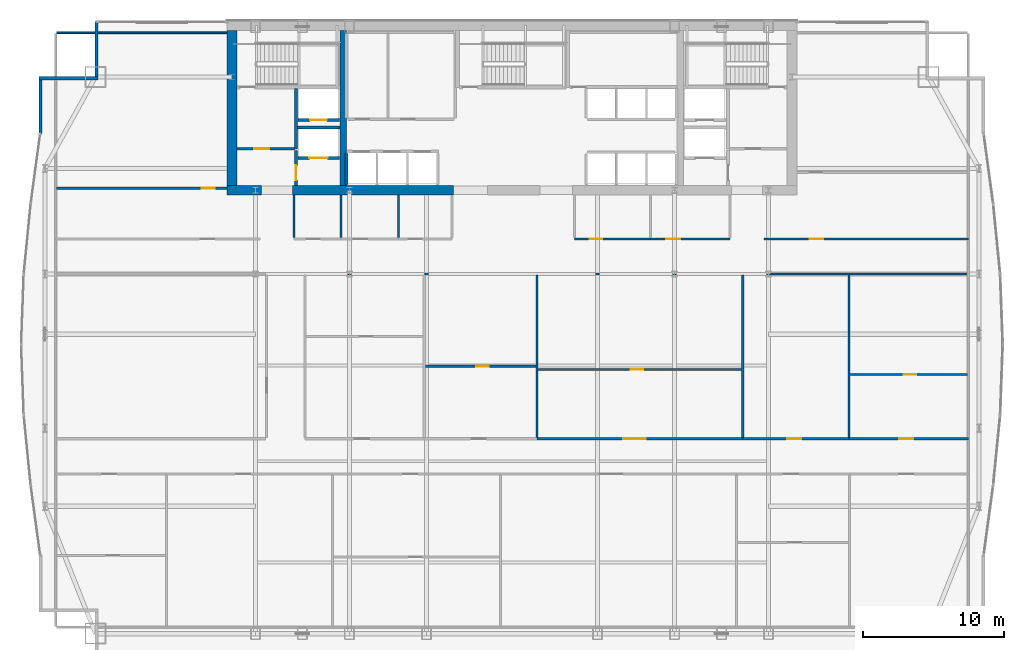
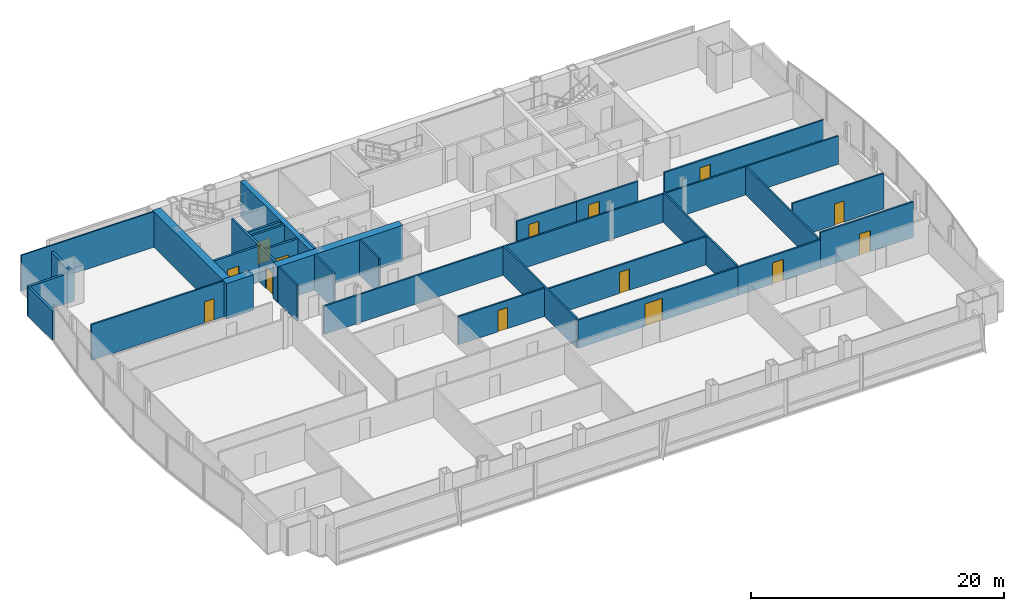
# One storey, part 27 of 32: 32 walls, 14 doors, 14 openings.
"""IFC4 building model written with IfcOpenShell, lengths in metres."""

from ifc_helpers import new_model, si_unit, direction, frame, frame_2d, origin, place, context, subcontext, project, spatial, rectangle, extrude, material, layer, layer_set, type_object, element, fill, save


model = new_model("IFC4")

# Units and contexts
model_context = context("Model", 3, precision=1e-05, world=origin(), true_north=direction((0.0, 1.0)))
body_context = subcontext(model_context, "Body", "Model", "MODEL_VIEW")
ifc_project = project(units=[si_unit("LENGTHUNIT", "METRE"), si_unit("AREAUNIT", "SQUARE_METRE"), si_unit("VOLUMEUNIT", "CUBIC_METRE"), si_unit("PLANEANGLEUNIT", "RADIAN"), si_unit("MASSUNIT", "GRAM", prefix="KILO")], contexts=[model_context])

# Site, building, storey
site_placement = place(None, origin())
site = spatial("IfcSite", under=ifc_project, at=site_placement, CompositionType="ELEMENT")
building_placement = place(site_placement, origin())
building = spatial("IfcBuilding", under=site, at=building_placement, Name="Khoronbel Lancet Exchange", CompositionType="ELEMENT")
storey_placement = place(building_placement, frame((0.0, 0.0, 125.39990234375)))
storey = spatial("IfcBuildingStorey", under=building, at=storey_placement, Name="L30", CompositionType="ELEMENT", Elevation=125.39990234375)

# Walls
ifc_material_1 = material(Name="Concrete C80/95", Category="concrete")
ifc_layer_1 = layer(ifc_material_1, 0.699951171875, Name="Concrete C80/95")
ifc_layer_set_1 = layer_set([ifc_layer_1], Name="Concrete C80/95")
wall_type_1 = type_object("IfcWallType", Name="WL-CW2", PredefinedType="SHEAR", material=ifc_layer_set_1)
wall_1_placement = place(storey_placement, frame((16.550048828125, 42.0, 0.0), z_axis=(0.0, 0.0, 1.0), x_axis=(0.0, 1.0, 0.0)))
element("IfcWall", 1, at=wall_1_placement, inside=storey, type_object=wall_type_1, Name="Level L30 rear core west shear wall", PredefinedType="SHEAR", context=body_context, shape_type="SweptSolid", body=[
    extrude(rectangle(XDim=11.0, YDim=0.699951171875, at=frame_2d((5.5, 0.0))), origin(), (0.0, 0.0, 1.0), 3.440185546875),
])
wall_2_placement = place(storey_placement, frame((18.64990234375, 41.64990234375, 0.0), z_axis=(0.0, 0.0, 1.0), x_axis=(-1.0, 0.0, 0.0)))
element("IfcWall", 2, at=wall_2_placement, inside=storey, type_object=wall_type_1, Name="Level L30 rear core south shear wall pier P1", PredefinedType="SHEAR", context=body_context, shape_type="SweptSolid", body=[
    extrude(rectangle(XDim=2.449951171875, YDim=0.699951171875, at=frame_2d((1.22509765625, 0.0))), origin(), (0.0, 0.0, 1.0), 3.440185546875),
])
wall_3_placement = place(storey_placement, frame((32.300048828125, 41.64990234375, 0.0), z_axis=(0.0, 0.0, 1.0), x_axis=(-1.0, 0.0, 0.0)))
element("IfcWall", 3, at=wall_3_placement, inside=storey, type_object=wall_type_1, Name="Level L30 rear core south shear wall pier P2", PredefinedType="SHEAR", context=body_context, shape_type="SweptSolid", body=[
    extrude(rectangle(XDim=11.449951171875, YDim=0.699951171875, at=frame_2d((5.72509765625, 0.0))), origin(), (0.0, 0.0, 1.0), 3.440185546875),
])
ifc_material_2 = material(Name="Precast concrete C40/50", Category="concrete")
ifc_layer_2 = layer(ifc_material_2, 0.25, Name="Precast concrete C40/50")
ifc_layer_set_2 = layer_set([ifc_layer_2], Name="Precast concrete C40/50")
wall_type_2 = type_object("IfcWallType", Name="WL-EXT250", PredefinedType="SOLIDWALL", material=ifc_layer_set_2)
wall_4_placement = place(storey_placement, frame((2.93994140625, 45.673828125, 0.0), z_axis=(0.0, 0.0, 1.0), x_axis=(0.0, 1.0, 0.0)))
element("IfcWall", 4, at=wall_4_placement, inside=storey, type_object=wall_type_2, Name="Level L30 notched-corner limestone pier 10", PredefinedType="SOLIDWALL", context=body_context, shape_type="SweptSolid", body=[
    extrude(rectangle(XDim=3.826171875, YDim=0.219970703125, at=frame_2d((1.9130859375, 0.0))), origin(), (0.0, 0.0, 1.0), 2.830078125),
])
wall_5_placement = place(storey_placement, frame((2.830078125, 49.610107421875, 0.0), z_axis=(0.0, 0.0, 1.0), x_axis=(1.0, 0.0, 0.0)))
element("IfcWall", 5, at=wall_5_placement, inside=storey, type_object=wall_type_2, Name="Level L30 notched-corner limestone pier 11", PredefinedType="SOLIDWALL", context=body_context, shape_type="SweptSolid", body=[
    extrude(rectangle(XDim=4.219970703125, YDim=0.219970703125, at=frame_2d((2.10986328125, 0.0))), origin(), (0.0, 0.0, 1.0), 2.830078125),
])
wall_6_placement = place(storey_placement, frame((6.93994140625, 49.719970703125, 0.0), z_axis=(0.0, 0.0, 1.0), x_axis=(0.0, 1.0, 0.0)))
element("IfcWall", 6, at=wall_6_placement, inside=storey, type_object=wall_type_2, Name="Level L30 notched-corner limestone pier 12", PredefinedType="SOLIDWALL", context=body_context, shape_type="SweptSolid", body=[
    extrude(rectangle(XDim=3.909912109375, YDim=0.219970703125, at=frame_2d((1.955078125, 0.0))), origin(), (0.0, 0.0, 1.0), 2.830078125),
])
ifc_material_3 = material(Name="Acoustic Metal-Stud & Mineral-Wool Gypsum Partition 120 mm", Category="gypsum")
ifc_layer_3 = layer(ifc_material_3, 0.1201171875, Name="Acoustic Metal-Stud & Mineral-Wool Gypsum Partition 120 mm")
ifc_layer_set_3 = layer_set([ifc_layer_3], Name="Acoustic Metal-Stud & Mineral-Wool Gypsum Partition 120 mm")
wall_type_3 = type_object("IfcWallType", Name="WL-PRT120", PredefinedType="PARTITIONING", material=ifc_layer_set_3)
for number, where, z_axis, x_axis, name in (
    (7, (20.949951171875, 38.280029296875, 0.0), (0.0, 0.0, 1.0), (0.0, 1.0, 0.0), "Level L30 interior partition PW-WC-0"),
    (8, (24.300048828125, 38.280029296875, 0.0), (0.0, 0.0, 1.0), (0.0, 1.0, 0.0), "Level L30 interior partition PW-WC-1"),
    (9, (28.39990234375, 38.280029296875, 0.0), (0.0, 0.0, 1.0), (0.0, 1.0, 0.0), "Level L30 interior partition PW-WC-2"),
):
    element("IfcWall", number, at=place(storey_placement, frame(where, z_axis=z_axis, x_axis=x_axis)), inside=storey, type_object=wall_type_3, Name=name, PredefinedType="PARTITIONING", context=body_context, shape_type="SweptSolid", body=[
        extrude(rectangle(XDim=3.02001953125, YDim=0.14990234375, at=frame_2d((1.510009765625, 0.0))), origin(), (0.0, 0.0, 1.0), 3.440185546875),
    ])

# Wall, opening, door
wall_7_placement = place(storey_placement, frame((4.094970703125, 41.800048828125, 0.0), z_axis=(0.0, 0.0, 1.0), x_axis=(1.0, 0.0, 0.0)))
wall_7 = element("IfcWall", 10, at=wall_7_placement, inside=storey, type_object=wall_type_3, Name="Level L30 interior partition PW-NW-H", PredefinedType="PARTITIONING", context=body_context, shape_type="SweptSolid", body=[
    extrude(rectangle(XDim=12.10498046875, YDim=0.14990234375, at=frame_2d((6.052490234375, 0.0))), origin(), (0.0, 0.0, 1.0), 3.440185546875),
])
opening_1_placement = place(wall_7_placement, frame((10.320068359375, 0.0, 0.0)))
opening_1 = element("IfcOpeningElement", 11, at=opening_1_placement, cuts=wall_7, Name="Opening D5", PredefinedType="OPENING", context=body_context, shape_type="SweptSolid", body=[
    extrude(rectangle(XDim=0.89990234375, YDim=2.050048828125, at=frame_2d((0.449951171875, 1.02490234375))), frame((0.0, 0.0849609375, 0.0), z_axis=(0.0, -1.0, 0.0), x_axis=(1.0, 0.0, 0.0)), (0.0, 0.0, 1.0), 0.169921875),
])
ifc_material_4 = material(Name="Acoustic Timber Pantry & Support Door", Category="wood")
door_type_1 = type_object("IfcDoorType", Name="DR-D5", OperationType="NOTDEFINED", PredefinedType="DOOR", material=ifc_material_4)
door_1_placement = place(opening_1_placement, origin())
door_1 = element("IfcDoor", 12, at=door_1_placement, inside=storey, type_object=door_type_1, Name="NW north room door L30-1", OperationType="SINGLE_SWING_RIGHT", OverallHeight=2.050048828125, OverallWidth=0.89990234375, PredefinedType="DOOR", context=body_context, shape_type="SweptSolid", body=[
    extrude(rectangle(XDim=0.89990234375, YDim=2.050048828125, at=frame_2d((0.449951171875, 1.02490234375))), frame((0.0, 0.02490234375, 0.0), z_axis=(0.0, -1.0, 0.0), x_axis=(1.0, 0.0, 0.0)), (0.0, 0.0, 1.0), 0.050048828125),
])
fill(opening_1, door_1)

wall_8_placement = place(storey_placement, frame((30.295166015625, 29.14794921875, 0.0), z_axis=(0.0, 0.0, 1.0), x_axis=(1.0, 0.0, 0.0)))
wall_8 = element("IfcWall", 13, at=wall_8_placement, inside=storey, type_object=wall_type_3, Name="Level L30 interior partition PW-Z2N-H2", PredefinedType="PARTITIONING", context=body_context, shape_type="SweptSolid", body=[
    extrude(rectangle(XDim=7.853759765625, YDim=0.14990234375, at=frame_2d((3.9267578125, 0.0))), origin(), (0.0, 0.0, 1.0), 2.72998046875),
])
opening_2_placement = place(wall_8_placement, frame((3.606201171875, 0.0, 0.0)))
opening_2 = element("IfcOpeningElement", 14, at=opening_2_placement, cuts=wall_8, Name="Opening D5", PredefinedType="OPENING", context=body_context, shape_type="SweptSolid", body=[
    extrude(rectangle(XDim=0.89990234375, YDim=2.050048828125, at=frame_2d((0.449951171875, 1.02490234375))), frame((0.0, 0.0849609375, 0.0), z_axis=(0.0, -1.0, 0.0), x_axis=(1.0, 0.0, 0.0)), (0.0, 0.0, 1.0), 0.169921875),
])
door_2_placement = place(opening_2_placement, origin())
door_2 = element("IfcDoor", 15, at=door_2_placement, inside=storey, type_object=door_type_1, Name="Z2N inner door 2 L30-1", OperationType="SINGLE_SWING_RIGHT", OverallHeight=2.050048828125, OverallWidth=0.89990234375, PredefinedType="DOOR", context=body_context, shape_type="SweptSolid", body=[
    extrude(rectangle(XDim=0.89990234375, YDim=2.050048828125, at=frame_2d((0.449951171875, 1.02490234375))), frame((0.0, 0.02490234375, 0.0), z_axis=(0.0, -1.0, 0.0), x_axis=(1.0, 0.0, 0.0)), (0.0, 0.0, 1.0), 0.050048828125),
])
fill(opening_2, door_2)

wall_9_placement = place(storey_placement, frame((38.30908203125, 28.9140625, 0.0), z_axis=(0.0, 0.0, 1.0), x_axis=(1.0, 0.0, 0.0)))
wall_9 = element("IfcWall", 16, at=wall_9_placement, inside=storey, type_object=wall_type_3, Name="Level L30 interior partition PW-Z2N-H3", PredefinedType="PARTITIONING", context=body_context, shape_type="SweptSolid", body=[
    extrude(rectangle(XDim=14.453369140625, YDim=0.14990234375, at=frame_2d((7.2265625, 0.0))), origin(), (0.0, 0.0, 1.0), 2.72998046875),
])
opening_3_placement = place(wall_9_placement, frame((6.575927734375, 0.0, 0.0)))
opening_3 = element("IfcOpeningElement", 17, at=opening_3_placement, cuts=wall_9, Name="Opening D5", PredefinedType="OPENING", context=body_context, shape_type="SweptSolid", body=[
    extrude(rectangle(XDim=0.89990234375, YDim=2.050048828125, at=frame_2d((0.449951171875, 1.02490234375))), frame((0.0, 0.0849609375, 0.0), z_axis=(0.0, -1.0, 0.0), x_axis=(1.0, 0.0, 0.0)), (0.0, 0.0, 1.0), 0.169921875),
])
door_3_placement = place(opening_3_placement, origin())
door_3 = element("IfcDoor", 18, at=door_3_placement, inside=storey, type_object=door_type_1, Name="Z2N inner door 3 L30-1", OperationType="SINGLE_SWING_LEFT", OverallHeight=2.050048828125, OverallWidth=0.89990234375, PredefinedType="DOOR", context=body_context, shape_type="SweptSolid", body=[
    extrude(rectangle(XDim=0.89990234375, YDim=2.050048828125, at=frame_2d((0.449951171875, 1.02490234375))), frame((0.0, 0.02490234375, 0.0), z_axis=(0.0, -1.0, 0.0), x_axis=(1.0, 0.0, 0.0)), (0.0, 0.0, 1.0), 0.050048828125),
])
fill(opening_3, door_3)

wall_10_placement = place(storey_placement, frame((60.46484375, 28.56298828125, 0.0), z_axis=(0.0, 0.0, 1.0), x_axis=(1.0, 0.0, 0.0)))
wall_10 = element("IfcWall", 19, at=wall_10_placement, inside=storey, type_object=wall_type_3, Name="Level L30 interior partition PW-Z2N-H5", PredefinedType="PARTITIONING", context=body_context, shape_type="SweptSolid", body=[
    extrude(rectangle(XDim=8.340087890625, YDim=0.14990234375, at=frame_2d((4.169921875, 0.0))), origin(), (0.0, 0.0, 1.0), 3.440185546875),
])
opening_4_placement = place(wall_10_placement, frame((3.818359375, 0.0, 0.0)))
opening_4 = element("IfcOpeningElement", 20, at=opening_4_placement, cuts=wall_10, Name="Opening D5", PredefinedType="OPENING", context=body_context, shape_type="SweptSolid", body=[
    extrude(rectangle(XDim=0.89990234375, YDim=2.050048828125, at=frame_2d((0.449951171875, 1.02490234375))), frame((0.0, 0.0849609375, 0.0), z_axis=(0.0, -1.0, 0.0), x_axis=(1.0, 0.0, 0.0)), (0.0, 0.0, 1.0), 0.169921875),
])
door_4_placement = place(opening_4_placement, origin())
door_4 = element("IfcDoor", 21, at=door_4_placement, inside=storey, type_object=door_type_1, Name="Z2N inner door 5 L30-1", OperationType="SINGLE_SWING_RIGHT", OverallHeight=2.050048828125, OverallWidth=0.89990234375, PredefinedType="DOOR", context=body_context, shape_type="SweptSolid", body=[
    extrude(rectangle(XDim=0.89990234375, YDim=2.050048828125, at=frame_2d((0.449951171875, 1.02490234375))), frame((0.0, 0.02490234375, 0.0), z_axis=(0.0, -1.0, 0.0), x_axis=(1.0, 0.0, 0.0)), (0.0, 0.0, 1.0), 0.050048828125),
])
fill(opening_4, door_4)

# Wall
wall_11_placement = place(storey_placement, frame((4.094970703125, 52.840087890625, 0.0), z_axis=(0.0, 0.0, 1.0), x_axis=(1.0, 0.0, 0.0)))
element("IfcWall", 22, at=wall_11_placement, inside=storey, type_object=wall_type_3, Name="Level L30 interior partition PW-LIN-NW", PredefinedType="PARTITIONING", context=body_context, shape_type="SweptSolid", body=[
    extrude(rectangle(XDim=12.10498046875, YDim=0.1201171875, at=frame_2d((6.052490234375, 0.0))), origin(), (0.0, 0.0, 1.0), 3.440185546875),
])

# Wall, opening, door
ifc_material_5 = material(Name="Fire-Rated Twin-Stud Acoustic Gypsum Partition 150 mm", Category="gypsum")
ifc_layer_4 = layer(ifc_material_5, 0.14990234375, Name="Fire-Rated Twin-Stud Acoustic Gypsum Partition 150 mm")
ifc_layer_set_4 = layer_set([ifc_layer_4], Name="Fire-Rated Twin-Stud Acoustic Gypsum Partition 150 mm")
wall_type_4 = type_object("IfcWallType", Name="WL-PRT150C", PredefinedType="PARTITIONING", material=ifc_layer_set_4)
wall_12_placement = place(storey_placement, frame((40.8798828125, 38.199951171875, 0.0), z_axis=(0.0, 0.0, 1.0), x_axis=(1.0, 0.0, 0.0)))
wall_12 = element("IfcWall", 23, at=wall_12_placement, inside=storey, type_object=wall_type_4, Name="Level L30 interior partition PW-NP-S1", PredefinedType="PARTITIONING", context=body_context, shape_type="SweptSolid", body=[
    extrude(rectangle(XDim=5.420166015625, YDim=0.14990234375, at=frame_2d((2.7099609375, 0.0))), origin(), (0.0, 0.0, 1.0), 2.72998046875),
])
opening_5_placement = place(wall_12_placement, frame((1.10009765625, 0.0, 0.0)))
opening_5 = element("IfcOpeningElement", 24, at=opening_5_placement, cuts=wall_12, Name="Opening D5", PredefinedType="OPENING", context=body_context, shape_type="SweptSolid", body=[
    extrude(rectangle(XDim=0.89990234375, YDim=2.050048828125, at=frame_2d((0.449951171875, 1.02490234375))), frame((0.0, 0.0849609375, 0.0), z_axis=(0.0, -1.0, 0.0), x_axis=(1.0, 0.0, 0.0)), (0.0, 0.0, 1.0), 0.169921875),
])
door_5_placement = place(opening_5_placement, origin())
door_5 = element("IfcDoor", 25, at=door_5_placement, inside=storey, type_object=door_type_1, Name="Floor refreshment pantry door L30-1", OperationType="SINGLE_SWING_RIGHT", OverallHeight=2.050048828125, OverallWidth=0.89990234375, PredefinedType="DOOR", context=body_context, shape_type="SweptSolid", body=[
    extrude(rectangle(XDim=0.89990234375, YDim=2.050048828125, at=frame_2d((0.449951171875, 1.02490234375))), frame((0.0, 0.02490234375, 0.0), z_axis=(0.0, -1.0, 0.0), x_axis=(1.0, 0.0, 0.0)), (0.0, 0.0, 1.0), 0.050048828125),
])
fill(opening_5, door_5)

wall_13_placement = place(storey_placement, frame((46.300048828125, 38.199951171875, 0.0), z_axis=(0.0, 0.0, 1.0), x_axis=(1.0, 0.0, 0.0)))
wall_13 = element("IfcWall", 26, at=wall_13_placement, inside=storey, type_object=wall_type_4, Name="Level L30 interior partition PW-NP-S2", PredefinedType="PARTITIONING", context=body_context, shape_type="SweptSolid", body=[
    extrude(rectangle(XDim=5.64990234375, YDim=0.14990234375, at=frame_2d((2.824951171875, 0.0))), origin(), (0.0, 0.0, 1.0), 2.72998046875),
])
opening_6_placement = place(wall_13_placement, frame((1.10009765625, 0.0, 0.0)))
opening_6 = element("IfcOpeningElement", 27, at=opening_6_placement, cuts=wall_13, Name="Opening D2", PredefinedType="OPENING", context=body_context, shape_type="SweptSolid", body=[
    extrude(rectangle(XDim=1.0, YDim=2.050048828125, at=frame_2d((0.5, 1.02490234375))), frame((0.0, 0.0849609375, 0.0), z_axis=(0.0, -1.0, 0.0), x_axis=(1.0, 0.0, 0.0)), (0.0, 0.0, 1.0), 0.169921875),
])
ifc_material_6 = material(Name="Acoustic Veneered Timber & Bronze Frame Door", Category="wood")
door_type_2 = type_object("IfcDoorType", Name="DR-D2", OperationType="NOTDEFINED", PredefinedType="DOOR", material=ifc_material_6)
door_6_placement = place(opening_6_placement, origin())
door_6 = element("IfcDoor", 28, at=door_6_placement, inside=storey, type_object=door_type_2, Name="Floor store door L30-1", OperationType="SINGLE_SWING_LEFT", OverallHeight=2.050048828125, OverallWidth=1.0, PredefinedType="DOOR", context=body_context, shape_type="SweptSolid", body=[
    extrude(rectangle(XDim=1.0, YDim=2.050048828125, at=frame_2d((0.5, 1.02490234375))), frame((0.0, 0.02490234375, 0.0), z_axis=(0.0, -1.0, 0.0), x_axis=(1.0, 0.0, 0.0)), (0.0, 0.0, 1.0), 0.050048828125),
])
fill(opening_6, door_6)

wall_14_placement = place(storey_placement, frame((54.35009765625, 38.199951171875, 0.0), z_axis=(0.0, 0.0, 1.0), x_axis=(1.0, 0.0, 0.0)))
wall_14 = element("IfcWall", 29, at=wall_14_placement, inside=storey, type_object=wall_type_4, Name="Level L30 interior partition PW-NE-S", PredefinedType="PARTITIONING", context=body_context, shape_type="SweptSolid", body=[
    extrude(rectangle(XDim=14.52001953125, YDim=0.14990234375, at=frame_2d((7.260009765625, 0.0))), origin(), (0.0, 0.0, 1.0), 2.72998046875),
])
opening_7_placement = place(wall_14_placement, frame((3.25, 0.0, 0.0)))
opening_7 = element("IfcOpeningElement", 30, at=opening_7_placement, cuts=wall_14, Name="Opening D1", PredefinedType="OPENING", context=body_context, shape_type="SweptSolid", body=[
    extrude(rectangle(XDim=0.949951171875, YDim=2.050048828125, at=frame_2d((0.47509765625, 1.02490234375))), frame((0.0, 0.0849609375, 0.0), z_axis=(0.0, -1.0, 0.0), x_axis=(1.0, 0.0, 0.0)), (0.0, 0.0, 1.0), 0.169921875),
])
door_type_3 = type_object("IfcDoorType", Name="DR-D1", OperationType="NOTDEFINED", PredefinedType="DOOR", material=ifc_material_6)
door_7_placement = place(opening_7_placement, origin())
door_7 = element("IfcDoor", 31, at=door_7_placement, inside=storey, type_object=door_type_3, Name="NE corner room door L30-1", OperationType="SINGLE_SWING_LEFT", OverallHeight=2.050048828125, OverallWidth=0.949951171875, PredefinedType="DOOR", context=body_context, shape_type="SweptSolid", body=[
    extrude(rectangle(XDim=0.949951171875, YDim=2.050048828125, at=frame_2d((0.47509765625, 1.02490234375))), frame((0.0, 0.02490234375, 0.0), z_axis=(0.0, -1.0, 0.0), x_axis=(1.0, 0.0, 0.0)), (0.0, 0.0, 1.0), 0.050048828125),
])
fill(opening_7, door_7)

# Walls
wall_15_placement = place(storey_placement, frame((21.81005859375, 35.699951171875, 0.0), z_axis=(0.0, 0.0, 1.0), x_axis=(1.0, 0.0, 0.0)))
element("IfcWall", 32, at=wall_15_placement, inside=storey, type_object=wall_type_4, Name="Level L30 interior partition PW-Z2-EN", PredefinedType="PARTITIONING", context=body_context, shape_type="SweptSolid", body=[
    extrude(rectangle(XDim=46.994873046875, YDim=0.14990234375, at=frame_2d((23.49755859375, 0.0))), origin(), (0.0, 0.0, 1.0), 2.72998046875),
])
for number, where, z_axis, x_axis, name in (
    (33, (38.22900390625, 24.0849609375, 0.0), (0.0, 0.0, 1.0), (0.0, 1.0, 0.0), "Level L30 interior partition PW-Z2N-V2"),
    (34, (52.84228515625, 24.0849609375, 0.0), (0.0, 0.0, 1.0), (0.0, 1.0, 0.0), "Level L30 interior partition PW-Z2N-V3"),
):
    element("IfcWall", number, at=place(storey_placement, frame(where, z_axis=z_axis, x_axis=x_axis)), inside=storey, type_object=wall_type_4, Name=name, PredefinedType="PARTITIONING", context=body_context, shape_type="SweptSolid", body=[
        extrude(rectangle(XDim=11.53515625, YDim=0.14990234375, at=frame_2d((5.767578125, 0.0))), origin(), (0.0, 0.0, 1.0), 2.880126953125),
    ])
wall_16_placement = place(storey_placement, frame((60.384765625, 24.0849609375, 0.0), z_axis=(0.0, 0.0, 1.0), x_axis=(0.0, 1.0, 0.0)))
element("IfcWall", 35, at=wall_16_placement, inside=storey, type_object=wall_type_4, Name="Level L30 interior partition PW-Z2N-V4", PredefinedType="PARTITIONING", context=body_context, shape_type="SweptSolid", body=[
    extrude(rectangle(XDim=11.53515625, YDim=0.14990234375, at=frame_2d((5.767578125, 0.0))), origin(), (0.0, 0.0, 1.0), 2.72998046875),
])

# Wall, opening, door
ifc_material_7 = material(Name="Fire-Rated Twin-Stud Acoustic Gypsum Partition 160 mm", Category="gypsum")
ifc_layer_5 = layer(ifc_material_7, 0.159912109375, Name="Fire-Rated Twin-Stud Acoustic Gypsum Partition 160 mm")
ifc_layer_set_5 = layer_set([ifc_layer_5], Name="Fire-Rated Twin-Stud Acoustic Gypsum Partition 160 mm")
wall_type_5 = type_object("IfcWallType", Name="WL-PRT160C", PredefinedType="PARTITIONING", material=ifc_layer_set_5)
wall_17_placement = place(storey_placement, frame((38.22900390625, 24.0, 0.0), z_axis=(0.0, 0.0, 1.0), x_axis=(1.0, 0.0, 0.0)))
wall_17 = element("IfcWall", 36, at=wall_17_placement, inside=storey, type_object=wall_type_5, Name="Level L30 interior partition PW-Z2N-COR3", PredefinedType="PARTITIONING", context=body_context, shape_type="SweptSolid", body=[
    extrude(rectangle(XDim=14.61328125, YDim=0.159912109375, at=frame_2d((7.306640625, 0.0))), origin(), (0.0, 0.0, 1.0), 2.72998046875),
])
opening_8_placement = place(wall_17_placement, frame((6.1376953125, 0.0, 0.0)))
opening_8 = element("IfcOpeningElement", 37, at=opening_8_placement, cuts=wall_17, Name="Opening D3", PredefinedType="OPENING", context=body_context, shape_type="SweptSolid", body=[
    extrude(rectangle(XDim=1.60009765625, YDim=2.14990234375, at=frame_2d((0.800048828125, 1.074951171875))), frame((0.0, 0.08984375, 0.0), z_axis=(0.0, -1.0, 0.0), x_axis=(1.0, 0.0, 0.0)), (0.0, 0.0, 1.0), 0.179931640625),
])
ifc_material_8 = material(Name="Glazed Bronze-Framed Double Suite Door", Category="aluminium")
door_type_4 = type_object("IfcDoorType", Name="DR-D3", OperationType="NOTDEFINED", PredefinedType="DOOR", material=ifc_material_8)
door_8_placement = place(opening_8_placement, origin())
door_8 = element("IfcDoor", 38, at=door_8_placement, inside=storey, type_object=door_type_4, Name="Z2N bay 3 door L30-1", OperationType="DOUBLE_DOOR_SINGLE_SWING", OverallHeight=2.14990234375, OverallWidth=1.60009765625, PredefinedType="DOOR", context=body_context, shape_type="SweptSolid", body=[
    extrude(rectangle(XDim=1.60009765625, YDim=2.14990234375, at=frame_2d((0.800048828125, 1.074951171875))), frame((0.0, 0.02490234375, 0.0), z_axis=(0.0, -1.0, 0.0), x_axis=(1.0, 0.0, 0.0)), (0.0, 0.0, 1.0), 0.050048828125),
])
fill(opening_8, door_8)

wall_18_placement = place(storey_placement, frame((52.84228515625, 24.0, 0.0), z_axis=(0.0, 0.0, 1.0), x_axis=(1.0, 0.0, 0.0)))
wall_18 = element("IfcWall", 39, at=wall_18_placement, inside=storey, type_object=wall_type_5, Name="Level L30 interior partition PW-Z2N-COR4", PredefinedType="PARTITIONING", context=body_context, shape_type="SweptSolid", body=[
    extrude(rectangle(XDim=7.54248046875, YDim=0.159912109375, at=frame_2d((3.771240234375, 0.0))), origin(), (0.0, 0.0, 1.0), 2.72998046875),
])
opening_9_placement = place(wall_18_placement, frame((3.167724609375, 0.0, 0.0)))
opening_9 = element("IfcOpeningElement", 40, at=opening_9_placement, cuts=wall_18, Name="Opening D2", PredefinedType="OPENING", context=body_context, shape_type="SweptSolid", body=[
    extrude(rectangle(XDim=1.0, YDim=2.050048828125, at=frame_2d((0.5, 1.02490234375))), frame((0.0, 0.08984375, 0.0), z_axis=(0.0, -1.0, 0.0), x_axis=(1.0, 0.0, 0.0)), (0.0, 0.0, 1.0), 0.179931640625),
])
door_9_placement = place(opening_9_placement, origin())
door_9 = element("IfcDoor", 41, at=door_9_placement, inside=storey, type_object=door_type_2, Name="Z2N bay 4 door L30-1", OperationType="SINGLE_SWING_RIGHT", OverallHeight=2.050048828125, OverallWidth=1.0, PredefinedType="DOOR", context=body_context, shape_type="SweptSolid", body=[
    extrude(rectangle(XDim=1.0, YDim=2.050048828125, at=frame_2d((0.5, 1.02490234375))), frame((0.0, 0.02490234375, 0.0), z_axis=(0.0, -1.0, 0.0), x_axis=(1.0, 0.0, 0.0)), (0.0, 0.0, 1.0), 0.050048828125),
])
fill(opening_9, door_9)

wall_19_placement = place(storey_placement, frame((60.384765625, 24.0, 0.0), z_axis=(0.0, 0.0, 1.0), x_axis=(1.0, 0.0, 0.0)))
wall_19 = element("IfcWall", 42, at=wall_19_placement, inside=storey, type_object=wall_type_5, Name="Level L30 interior partition PW-Z2N-COR5", PredefinedType="PARTITIONING", context=body_context, shape_type="SweptSolid", body=[
    extrude(rectangle(XDim=8.4853515625, YDim=0.159912109375, at=frame_2d((4.24267578125, 0.0))), origin(), (0.0, 0.0, 1.0), 3.440185546875),
])
opening_10_placement = place(wall_19_placement, frame((3.563720703125, 0.0, 0.0)))
opening_10 = element("IfcOpeningElement", 43, at=opening_10_placement, cuts=wall_19, Name="Opening D2", PredefinedType="OPENING", context=body_context, shape_type="SweptSolid", body=[
    extrude(rectangle(XDim=1.0, YDim=2.050048828125, at=frame_2d((0.5, 1.02490234375))), frame((0.0, 0.08984375, 0.0), z_axis=(0.0, -1.0, 0.0), x_axis=(1.0, 0.0, 0.0)), (0.0, 0.0, 1.0), 0.179931640625),
])
door_10_placement = place(opening_10_placement, origin())
door_10 = element("IfcDoor", 44, at=door_10_placement, inside=storey, type_object=door_type_2, Name="Z2N bay 5 door L30-1", OperationType="SINGLE_SWING_LEFT", OverallHeight=2.050048828125, OverallWidth=1.0, PredefinedType="DOOR", context=body_context, shape_type="SweptSolid", body=[
    extrude(rectangle(XDim=1.0, YDim=2.050048828125, at=frame_2d((0.5, 1.02490234375))), frame((0.0, 0.02490234375, 0.0), z_axis=(0.0, -1.0, 0.0), x_axis=(1.0, 0.0, 0.0)), (0.0, 0.0, 1.0), 0.050048828125),
])
fill(opening_10, door_10)

ifc_material_9 = material(Name="Autoclaved Aerated Concrete Blockwork 200 mm", Category="masonry")
ifc_layer_6 = layer(ifc_material_9, 0.199951171875, Name="Autoclaved Aerated Concrete Blockwork 200 mm")
ifc_layer_set_6 = layer_set([ifc_layer_6], Name="Autoclaved Aerated Concrete Blockwork 200 mm")
wall_type_6 = type_object("IfcWallType", Name="WL-PRT200", PredefinedType="PARTITIONING", material=ifc_layer_set_6)
wall_20_placement = place(storey_placement, frame((24.2099609375, 43.949951171875, 0.0), z_axis=(0.0, 0.0, 1.0), x_axis=(-1.0, 0.0, 0.0)))
wall_20 = element("IfcWall", 45, at=wall_20_placement, inside=storey, type_object=wall_type_6, Name="Level L30 elevator hoistway landing front wall SVLW", PredefinedType="PARTITIONING", context=body_context, shape_type="SweptSolid", body=[
    extrude(rectangle(XDim=2.969970703125, YDim=0.199951171875, at=frame_2d((1.48486328125, 0.0))), origin(), (0.0, 0.0, 1.0), 3.440185546875),
])
opening_11_placement = place(wall_20_placement, frame((0.860107421875, 0.0, 0.0)))
opening_11 = element("IfcOpeningElement", 46, at=opening_11_placement, cuts=wall_20, Name="Opening LD-SVL1", PredefinedType="OPENING", context=body_context, shape_type="SweptSolid", body=[
    extrude(rectangle(XDim=1.300048828125, YDim=2.179931640625, at=frame_2d((0.64990234375, 1.08984375))), frame((0.0, 0.10986328125, 0.0), z_axis=(0.0, -1.0, 0.0), x_axis=(1.0, 0.0, 0.0)), (0.0, 0.0, 1.0), 0.219970703125),
])
ifc_material_10 = material(Name="Heavy-Duty Bi-Parting Goods Lift Landing Door", Category="steel")
door_type_5 = type_object("IfcDoorType", Name="DR-LD-SVL", OperationType="NOTDEFINED", PredefinedType="DOOR", material=ifc_material_10)
door_11_placement = place(opening_11_placement, origin())
door_11 = element("IfcDoor", 47, at=door_11_placement, inside=storey, type_object=door_type_5, Name="Elevator landing sliding door LD-SVL1 L30", OperationType="SLIDING_TO_LEFT", OverallHeight=2.179931640625, OverallWidth=1.300048828125, PredefinedType="DOOR", context=body_context, shape_type="SweptSolid", body=[
    extrude(rectangle(XDim=1.300048828125, YDim=2.179931640625, at=frame_2d((0.64990234375, 1.08984375))), frame((0.0, 0.02490234375, 0.0), z_axis=(0.0, -1.0, 0.0), x_axis=(1.0, 0.0, 0.0)), (0.0, 0.0, 1.0), 0.050048828125),
])
fill(opening_11, door_11)

wall_21_placement = place(storey_placement, frame((24.2099609375, 46.64990234375, 0.0), z_axis=(0.0, 0.0, 1.0), x_axis=(-1.0, 0.0, 0.0)))
wall_21 = element("IfcWall", 48, at=wall_21_placement, inside=storey, type_object=wall_type_6, Name="Level L30 elevator hoistway landing front wall FFLW", PredefinedType="PARTITIONING", context=body_context, shape_type="SweptSolid", body=[
    extrude(rectangle(XDim=2.969970703125, YDim=0.199951171875, at=frame_2d((1.48486328125, 0.0))), origin(), (0.0, 0.0, 1.0), 3.440185546875),
])
opening_12_placement = place(wall_21_placement, frame((0.909912109375, 0.0, 0.0)))
opening_12 = element("IfcOpeningElement", 49, at=opening_12_placement, cuts=wall_21, Name="Opening LD-FFL1", PredefinedType="OPENING", context=body_context, shape_type="SweptSolid", body=[
    extrude(rectangle(XDim=1.199951171875, YDim=2.179931640625, at=frame_2d((0.60009765625, 1.08984375))), frame((0.0, 0.10986328125, 0.0), z_axis=(0.0, -1.0, 0.0), x_axis=(1.0, 0.0, 0.0)), (0.0, 0.0, 1.0), 0.219970703125),
])
ifc_material_11 = material(Name="Fire-Rated Stainless Bi-Parting Firefighting Lift Door", Category="steel")
door_type_6 = type_object("IfcDoorType", Name="DR-LD-FFL", OperationType="NOTDEFINED", PredefinedType="DOOR", material=ifc_material_11)
door_12_placement = place(opening_12_placement, origin())
door_12 = element("IfcDoor", 50, at=door_12_placement, inside=storey, type_object=door_type_6, Name="Elevator landing sliding door LD-FFL1 L30", OperationType="SLIDING_TO_LEFT", OverallHeight=2.179931640625, OverallWidth=1.199951171875, PredefinedType="DOOR", context=body_context, shape_type="SweptSolid", body=[
    extrude(rectangle(XDim=1.199951171875, YDim=2.179931640625, at=frame_2d((0.60009765625, 1.08984375))), frame((0.0, 0.02490234375, 0.0), z_axis=(0.0, -1.0, 0.0), x_axis=(1.0, 0.0, 0.0)), (0.0, 0.0, 1.0), 0.050048828125),
])
fill(opening_12, door_12)

# Wall
wall_22_placement = place(storey_placement, frame((21.10009765625, 44.60009765625, 0.0), z_axis=(0.0, 0.0, 1.0), x_axis=(0.0, 1.0, 0.0)))
element("IfcWall", 51, at=wall_22_placement, inside=storey, type_object=wall_type_6, Name="Level L30 interior partition CW-FFLW-E", PredefinedType="PARTITIONING", context=body_context, shape_type="SweptSolid", body=[
    extrude(rectangle(XDim=4.2998046875, YDim=0.199951171875, at=frame_2d((2.14990234375, 0.0))), origin(), (0.0, 0.0, 1.0), 3.440185546875),
])

# Wall, opening, door
wall_23_placement = place(storey_placement, frame((16.89990234375, 44.60009765625, 0.0), z_axis=(0.0, 0.0, 1.0), x_axis=(1.0, 0.0, 0.0)))
wall_23 = element("IfcWall", 52, at=wall_23_placement, inside=storey, type_object=wall_type_6, Name="Level L30 interior partition CW-FFLW-S", PredefinedType="PARTITIONING", context=body_context, shape_type="SweptSolid", body=[
    extrude(rectangle(XDim=4.10009765625, YDim=0.199951171875, at=frame_2d((2.050048828125, 0.0))), origin(), (0.0, 0.0, 1.0), 3.440185546875),
])
opening_13_placement = place(wall_23_placement, frame((1.25, 0.0, 0.0)))
opening_13 = element("IfcOpeningElement", 53, at=opening_13_placement, cuts=wall_23, Name="Opening FD1", PredefinedType="OPENING", context=body_context, shape_type="SweptSolid", body=[
    extrude(rectangle(XDim=1.050048828125, YDim=2.14990234375, at=frame_2d((0.52490234375, 1.074951171875))), frame((0.0, 0.10986328125, 0.0), z_axis=(0.0, -1.0, 0.0), x_axis=(1.0, 0.0, 0.0)), (0.0, 0.0, 1.0), 0.219970703125),
])
ifc_material_12 = material(Name="Fire-Rated Painted Steel Door Assembly", Category="steel")
door_type_7 = type_object("IfcDoorType", Name="DR-FD1", OperationType="NOTDEFINED", PredefinedType="DOOR", material=ifc_material_12)
door_13_placement = place(opening_13_placement, origin())
door_13 = element("IfcDoor", 54, at=door_13_placement, inside=storey, type_object=door_type_7, Name="West firefighting lobby FD90S door L30-1", OperationType="SINGLE_SWING_RIGHT", OverallHeight=2.14990234375, OverallWidth=1.050048828125, PredefinedType="DOOR", context=body_context, shape_type="SweptSolid", body=[
    extrude(rectangle(XDim=1.050048828125, YDim=2.14990234375, at=frame_2d((0.52490234375, 1.074951171875))), frame((0.0, 0.02490234375, 0.0), z_axis=(0.0, -1.0, 0.0), x_axis=(1.0, 0.0, 0.0)), (0.0, 0.0, 1.0), 0.050048828125),
])
fill(opening_13, door_13)

# Wall
wall_24_placement = place(storey_placement, frame((21.199951171875, 46.1201171875, 0.0), z_axis=(0.0, 0.0, 1.0), x_axis=(1.0, 0.0, 0.0)))
element("IfcWall", 55, at=wall_24_placement, inside=storey, type_object=wall_type_6, Name="Level L30 interior partition CW-FFL1-S", PredefinedType="PARTITIONING", context=body_context, shape_type="SweptSolid", body=[
    extrude(rectangle(XDim=3.02001953125, YDim=0.199951171875, at=frame_2d((1.510009765625, 0.0))), origin(), (0.0, 0.0, 1.0), 3.440185546875),
])

# Wall, opening, door
wall_25_placement = place(storey_placement, frame((21.10009765625, 42.0, 0.0), z_axis=(0.0, 0.0, 1.0), x_axis=(0.0, 1.0, 0.0)))
wall_25 = element("IfcWall", 56, at=wall_25_placement, inside=storey, type_object=wall_type_6, Name="Level L30 interior partition CW-SVLW-W", PredefinedType="PARTITIONING", context=body_context, shape_type="SweptSolid", body=[
    extrude(rectangle(XDim=2.4951171875, YDim=0.199951171875, at=frame_2d((1.24755859375, 0.0))), origin(), (0.0, 0.0, 1.0), 3.440185546875),
])
opening_14_placement = place(wall_25_placement, frame((0.3798828125, 0.0, 0.0)))
opening_14 = element("IfcOpeningElement", 57, at=opening_14_placement, cuts=wall_25, Name="Opening FD1", PredefinedType="OPENING", context=body_context, shape_type="SweptSolid", body=[
    extrude(rectangle(XDim=1.050048828125, YDim=2.14990234375, at=frame_2d((0.52490234375, 1.074951171875))), frame((0.0, 0.10986328125, 0.0), z_axis=(0.0, -1.0, 0.0), x_axis=(1.0, 0.0, 0.0)), (0.0, 0.0, 1.0), 0.219970703125),
])
door_14_placement = place(opening_14_placement, origin())
door_14 = element("IfcDoor", 58, at=door_14_placement, inside=storey, type_object=door_type_7, Name="West service lift lobby door L30-1", OperationType="SINGLE_SWING_LEFT", OverallHeight=2.14990234375, OverallWidth=1.050048828125, PredefinedType="DOOR", context=body_context, shape_type="SweptSolid", body=[
    extrude(rectangle(XDim=1.050048828125, YDim=2.14990234375, at=frame_2d((0.52490234375, 1.074951171875))), frame((0.0, 0.02490234375, 0.0), z_axis=(0.0, -1.0, 0.0), x_axis=(1.0, 0.0, 0.0)), (0.0, 0.0, 1.0), 0.050048828125),
])
fill(opening_14, door_14)

# Walls
wall_26_placement = place(storey_placement, frame((24.699951171875, 42.050048828125, 0.0), z_axis=(0.0, 0.0, 1.0), x_axis=(0.0, 1.0, 0.0)))
element("IfcWall", 59, at=wall_26_placement, inside=storey, type_object=wall_type_6, Name="Level L30 interior partition CW-PM-W", PredefinedType="PARTITIONING", context=body_context, shape_type="SweptSolid", body=[
    extrude(rectangle(XDim=2.199951171875, YDim=0.199951171875, at=frame_2d((1.10009765625, 0.0))), origin(), (0.0, 0.0, 1.0), 3.440185546875),
])
ifc_layer_7 = layer(ifc_material_1, 0.449951171875, Name="Concrete C80/95")
ifc_layer_set_7 = layer_set([ifc_layer_7], Name="Concrete C80/95")
wall_type_7 = type_object("IfcWallType", Name="WL-SW1", PredefinedType="SHEAR", material=ifc_layer_set_7)
wall_27_placement = place(storey_placement, frame((24.449951171875, 42.0, 0.0), z_axis=(0.0, 0.0, 1.0), x_axis=(0.0, 1.0, 0.0)))
element("IfcWall", 60, at=wall_27_placement, inside=storey, type_object=wall_type_7, Name="Level L30 rear core internal spine shear wall IW", PredefinedType="SHEAR", context=body_context, shape_type="SweptSolid", body=[
    extrude(rectangle(XDim=11.0, YDim=0.449951171875, at=frame_2d((5.5, 0.0))), origin(), (0.0, 0.0, 1.0), 3.440185546875),
])

save(model, "model.ifc")
